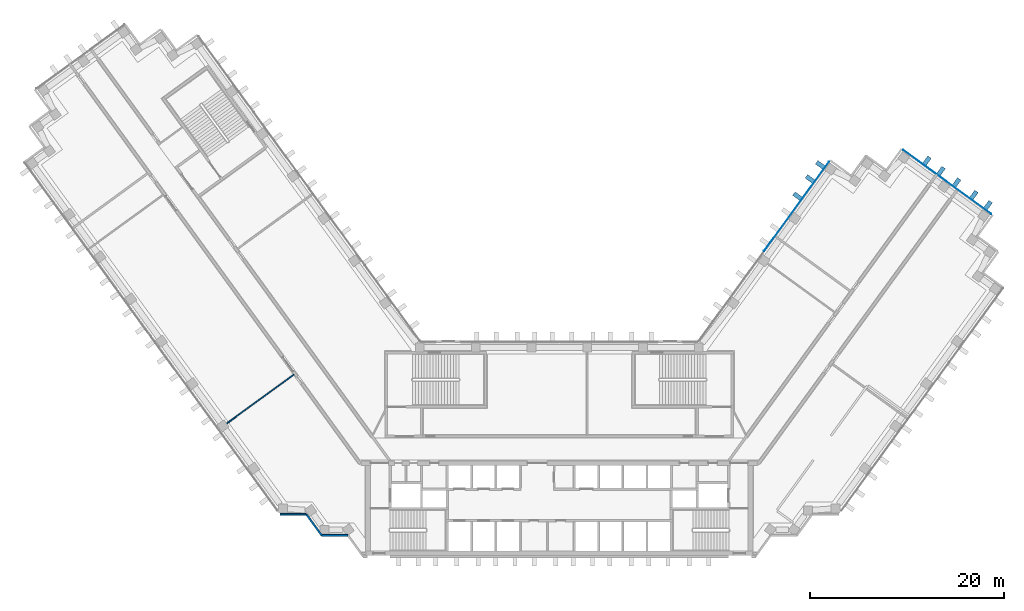
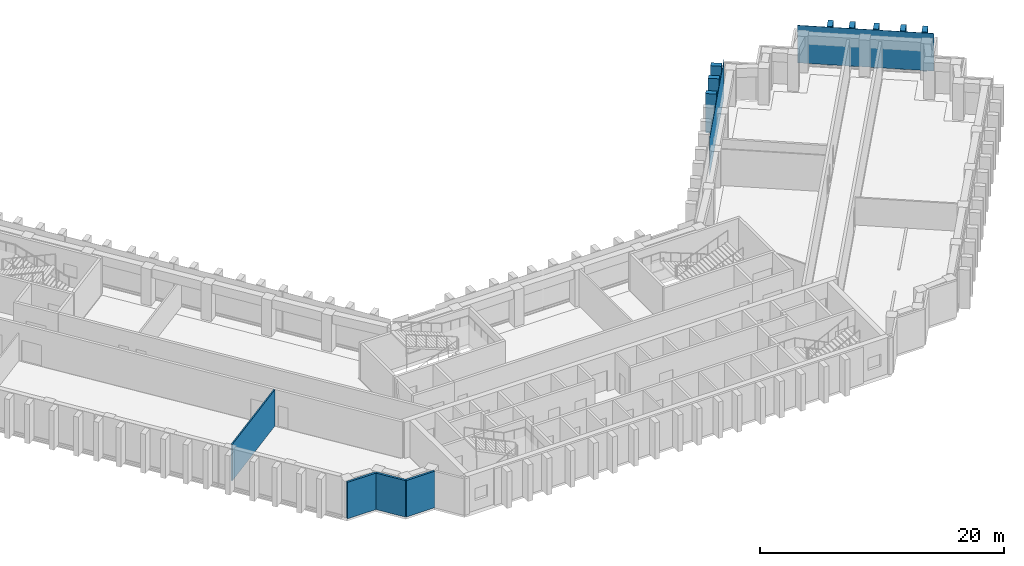
"""IFC4 building model written with IfcOpenShell, lengths in metres."""

from ifc_helpers import new_model, si_unit, direction, frame, frame_2d, origin, origin_2d, place, context, subcontext, project, spatial, rectangle, extrude, material, layer, layer_set, type_object, element, aggregate, save


model = new_model("IFC4")

# Units and contexts
model_context = context("Model", 3, precision=1e-05, world=origin(), true_north=direction((0.0, 1.0)))
body_context = subcontext(model_context, "Body", "Model", "MODEL_VIEW")
ifc_project = project(units=[si_unit("LENGTHUNIT", "METRE"), si_unit("AREAUNIT", "SQUARE_METRE"), si_unit("VOLUMEUNIT", "CUBIC_METRE"), si_unit("PLANEANGLEUNIT", "RADIAN"), si_unit("MASSUNIT", "GRAM", prefix="KILO")], contexts=[model_context])

# Site, building, storey
site_placement = place(None, origin())
site = spatial("IfcSite", under=ifc_project, at=site_placement, CompositionType="ELEMENT")
building_placement = place(site_placement, origin())
building = spatial("IfcBuilding", under=site, at=building_placement, Name="Quipu Civic Tower", CompositionType="ELEMENT")
storey_1_placement = place(building_placement, frame((0.0, 0.0, 113.0)))
storey_1 = spatial("IfcBuildingStorey", under=building, at=storey_1_placement, Name="L26", CompositionType="ELEMENT", Elevation=113.0)

# Curtain wall
ifc_material_1 = material(Name="Insulated glass unit", Category="glass")
curtain_wall_type = type_object("IfcCurtainWallType", Name="Office curtain wall CW1", PredefinedType="NOTDEFINED", material=ifc_material_1)
curtain_wall_1_placement = place(storey_1_placement, origin())
curtain_wall_1 = element("IfcCurtainWall", 1, at=curtain_wall_1_placement, inside=storey_1, type_object=curtain_wall_type, Name="Office curtain wall CW1 L25 run 25", PredefinedType="NOTDEFINED")

# Storey
storey_2_placement = place(building_placement, frame((0.0, 0.0, 109.0)))
storey_2 = spatial("IfcBuildingStorey", under=building, at=storey_2_placement, Name="L25", CompositionType="ELEMENT", Elevation=109.0)

# Plate
ifc_material_2 = material(Name="Insulated glass unit", Category="glass")
ifc_layer_1 = layer(ifc_material_2, 0.028076171875)
ifc_layer_set_1 = layer_set([ifc_layer_1], Name="Insulated glass unit")
plate_type_1 = type_object("IfcPlateType", Name="Glass panel CW1", PredefinedType="CURTAIN_PANEL", material=ifc_layer_set_1)
plate_1_placement = place(storey_2_placement, frame((40.04345703125, 27.58740234375, 0.240234375), z_axis=(0.0, 0.0, 1.0), x_axis=(-0.809015176832, 0.587787753918, 0.0)))
plate_1 = element("IfcPlate", 2, at=plate_1_placement, inside=storey_2, type_object=plate_type_1, Name="CW1 panel 1.1", PredefinedType="CURTAIN_PANEL", context=body_context, shape_type="SweptSolid", body=[
    extrude(rectangle(XDim=11.239990234375, YDim=0.028076171875, at=origin_2d()), origin(), (0.0, 0.0, 1.0), 3.760009765625),
])

aggregate(curtain_wall_1, [plate_1])

# Curtain wall, plate
curtain_wall_2_placement = place(storey_1_placement, origin())
curtain_wall_2 = element("IfcCurtainWall", 3, at=curtain_wall_2_placement, inside=storey_1, type_object=curtain_wall_type, Name="Office curtain wall CW1 L25 run 30", PredefinedType="NOTDEFINED")
plate_2_placement = place(storey_2_placement, frame((24.491455078125, 25.066162109375, 0.240234375), z_axis=(0.0, 0.0, 1.0), x_axis=(-0.587788727052, -0.809014469803, 0.0)))
plate_2 = element("IfcPlate", 4, at=plate_2_placement, inside=storey_2, type_object=plate_type_1, Name="CW1 panel 1.1", PredefinedType="CURTAIN_PANEL", context=body_context, shape_type="SweptSolid", body=[
    extrude(rectangle(XDim=11.402099609375, YDim=0.028076171875, at=origin_2d()), origin(), (0.0, 0.0, 1.0), 3.760009765625),
])
aggregate(curtain_wall_2, [plate_2])

# Plates
ifc_material_3 = material(Name="Precast concrete C40/50", Category="concrete")
plate_type_2 = type_object("IfcPlateType", Name="Precast fin F1", PredefinedType="SHEET", material=ifc_material_3)
for number, where, z_axis, x_axis, name in (
    (5, (44.270263671875, 25.1962890625, 0.080078125), (0.0, 0.0, 1.0), (-0.809017072762, 0.587785144401, 0.0), "Precast fin F1 L25.25.1"),
    (6, (42.81396484375, 26.25439453125, 0.080078125), (0.0, 0.0, 1.0), (-0.809017072762, 0.587785144401, 0.0), "Precast fin F1 L25.25.2"),
    (7, (41.0341796875, 27.547607421875, 0.080078125), (0.0, 0.0, 1.0), (-0.809017072762, 0.587785144401, 0.0), "Precast fin F1 L25.25.3"),
    (8, (39.416259765625, 28.72314453125, 0.080078125), (0.0, 0.0, 1.0), (-0.809017072762, 0.587785144401, 0.0), "Precast fin F1 L25.25.4"),
    (9, (37.9599609375, 29.781005859375, 0.080078125), (0.0, 0.0, 1.0), (-0.809017072762, 0.587785144401, 0.0), "Precast fin F1 L25.25.5"),
    (10, (26.93017578125, 29.358642578125, 0.080078125), (0.0, 0.0, 1.0), (-0.587787133119, -0.809015627871, 0.0), "Precast fin F1 L25.30.1"),
    (11, (25.8720703125, 27.90234375, 0.080078125), (0.0, 0.0, 1.0), (-0.587787133119, -0.809015627871, 0.0), "Precast fin F1 L25.30.2"),
    (12, (24.578857421875, 26.12255859375, 0.080078125), (0.0, 0.0, 1.0), (-0.587787133119, -0.809015627871, 0.0), "Precast fin F1 L25.30.3"),
):
    element("IfcPlate", number, at=place(storey_2_placement, frame(where, z_axis=z_axis, x_axis=x_axis)), inside=storey_2, type_object=plate_type_2, Name=name, PredefinedType="SHEET", context=body_context, shape_type="SweptSolid", body=[
        extrude(rectangle(XDim=0.449951171875, YDim=0.89990234375, at=origin_2d()), origin(), (0.0, 0.0, 1.0), 3.919921875),
    ])

# Walls
ifc_material_4 = material(Name="Gypsum plasterboard on light gauge framing")
ifc_layer_2 = layer(ifc_material_4, 0.1201171875)
ifc_layer_set_2 = layer_set([ifc_layer_2], Name="Gypsum plasterboard on light gauge framing")
wall_type_1 = type_object("IfcWallType", Name="Partition 120 plasterboard", PredefinedType="PARTITIONING", material=ifc_layer_set_2)
wall_1_placement = place(storey_2_placement, frame((-27.38916015625, 7.702880859375, 0.0), z_axis=(0.0, 0.0, 1.0), x_axis=(-0.809052894195, -0.587735837256, 0.0)))
element("IfcWall", 13, at=wall_1_placement, inside=storey_2, type_object=wall_type_1, Name="Partition P04", PredefinedType="PARTITIONING", context=body_context, shape_type="SweptSolid", body=[
    extrude(rectangle(XDim=8.594482421875, YDim=0.1201171875, at=frame_2d((4.29736328125, 0.0))), origin(), (0.0, 0.0, 1.0), 3.64990234375),
])
ifc_material_5 = material(Name="Precast concrete C40/50", Category="concrete")
wall_type_2 = type_object("IfcWallType", Name="Precast cladding wall", PredefinedType="SOLIDWALL", material=ifc_material_5)
wall_2_placement = place(storey_2_placement, frame((-28.829833984375, -6.71923828125, 0.0), z_axis=(0.0, 0.0, 1.0), x_axis=(1.0, 0.0, 0.0)))
element("IfcWall", 14, at=wall_2_placement, inside=storey_2, type_object=wall_type_2, Name="Precast cladding wall L25 12", PredefinedType="SOLIDWALL", context=body_context, shape_type="SweptSolid", body=[
    extrude(rectangle(XDim=2.699951171875, YDim=0.199951171875, at=frame_2d((1.35009765625, 0.0))), origin(), (0.0, 0.0, 1.0), 3.64990234375),
])
wall_3_placement = place(storey_2_placement, frame((-26.1201171875, -6.72412109375, 0.0), z_axis=(0.0, 0.0, 1.0), x_axis=(0.587720002413, -0.809064397168, 0.0)))
element("IfcWall", 15, at=wall_3_placement, inside=storey_2, type_object=wall_type_2, Name="Precast cladding wall L25 13", PredefinedType="SOLIDWALL", context=body_context, shape_type="SweptSolid", body=[
    extrude(rectangle(XDim=2.7001953125, YDim=0.199951171875, at=frame_2d((1.35009765625, 0.0))), origin(), (0.0, 0.0, 1.0), 3.64990234375),
])
wall_4_placement = place(storey_2_placement, frame((-24.542724609375, -8.90380859375, 0.0), z_axis=(0.0, 0.0, 1.0), x_axis=(1.0, 0.0, 0.0)))
element("IfcWall", 16, at=wall_4_placement, inside=storey_2, type_object=wall_type_2, Name="Precast cladding wall L25 14", PredefinedType="SOLIDWALL", context=body_context, shape_type="SweptSolid", body=[
    extrude(rectangle(XDim=2.699951171875, YDim=0.199951171875, at=frame_2d((1.35009765625, 0.0))), origin(), (0.0, 0.0, 1.0), 3.64990234375),
])

save(model, "model.ifc")
